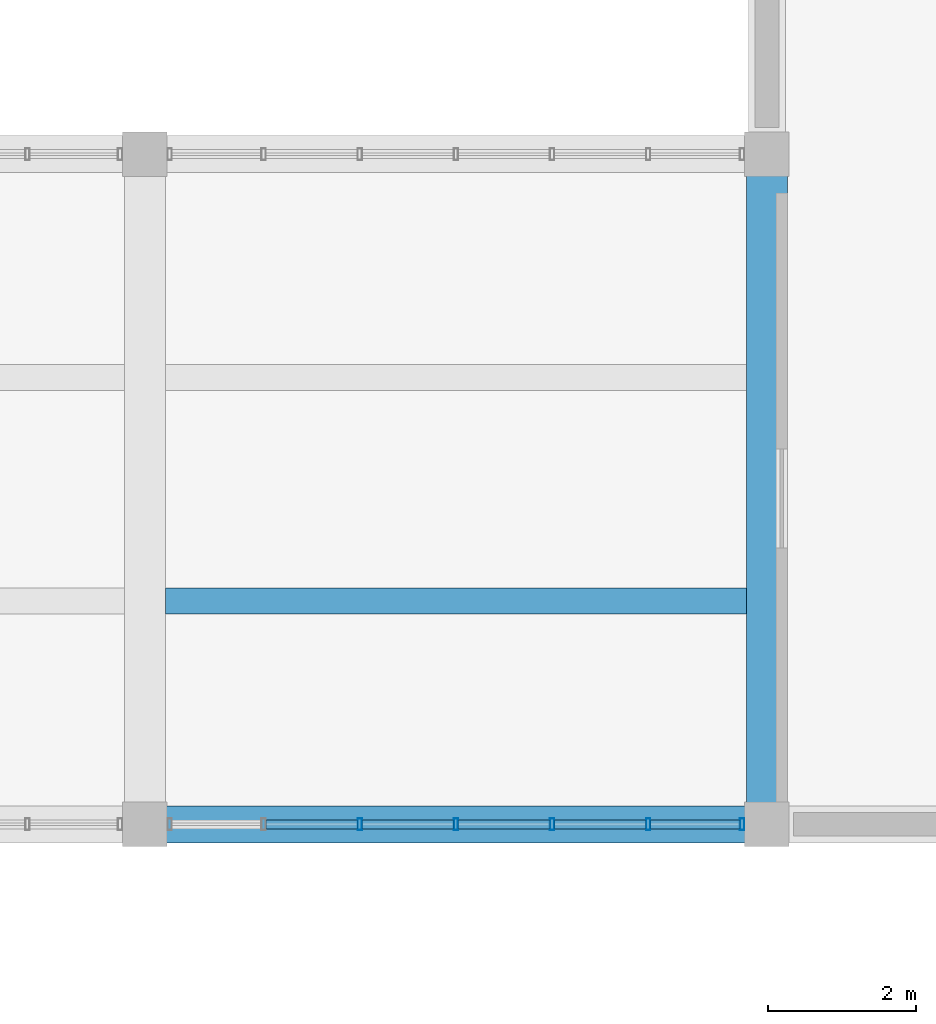
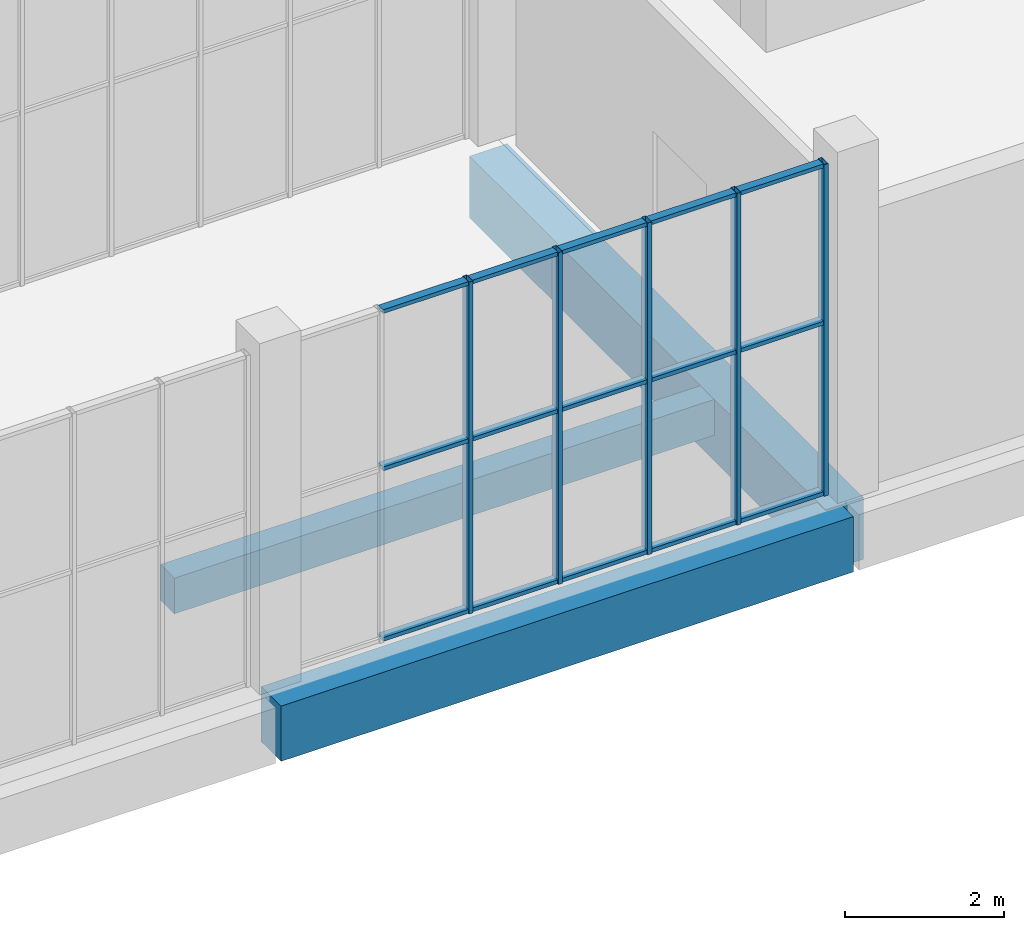
# One storey, part 40 of 132: 20 members, 3 beams, 1 element without a shape of its own.
"""IFC4 building model written with IfcOpenShell, lengths in metres."""

from ifc_helpers import new_model, si_unit, direction, frame, origin, origin_2d, place, context, subcontext, project, spatial, rectangle, hollow_rectangle, extrude, material, material_profile, profile_set, type_object, element, aggregate, save


model = new_model("IFC4")

# Units and contexts
model_context = context("Model", 3, precision=1e-05, world=origin(), true_north=direction((0.0, 1.0)))
body_context = subcontext(model_context, "Body", "Model", "MODEL_VIEW")
ifc_project = project(units=[si_unit("LENGTHUNIT", "METRE"), si_unit("AREAUNIT", "SQUARE_METRE"), si_unit("VOLUMEUNIT", "CUBIC_METRE"), si_unit("PLANEANGLEUNIT", "RADIAN"), si_unit("MASSUNIT", "GRAM", prefix="KILO")], contexts=[model_context])

# Site, building, storey
site_placement = place(None, origin())
site = spatial("IfcSite", under=ifc_project, at=site_placement, CompositionType="ELEMENT")
building_placement = place(site_placement, origin())
building = spatial("IfcBuilding", under=site, at=building_placement, Name="Khurvash Pelagic Aquarium", CompositionType="ELEMENT")
storey_placement = place(building_placement, frame((0.0, 0.0, 5.39990234375)))
storey = spatial("IfcBuildingStorey", under=building, at=storey_placement, Name="L01", CompositionType="ELEMENT", Elevation=5.39990234375)

# Beam
ifc_material_1 = material(Name="Concrete C40/50", Category="concrete")
ifc_material_profile_1 = material_profile(ifc_material_1, rectangle(XDim=0.550048828125, YDim=0.949951171875, at=origin_2d()), Name="RC550X950")
ifc_profile_set_1 = profile_set([ifc_material_profile_1], Name="Concrete C40/50")
beam_type_1 = type_object("IfcBeamType", Name="BM-02", PredefinedType="BEAM", material=ifc_profile_set_1)
beam_1_placement = place(storey_placement, frame((126.0, 20.739990234375, -0.784912109375), z_axis=(0.0, 1.0, 0.0), x_axis=(-1.0, 0.0, 0.0)))
element("IfcBeam", 1, at=beam_1_placement, inside=storey, type_object=beam_type_1, Name="L01 Primary Girder BM-02 00428", PredefinedType="BEAM", context=body_context, shape_type="SweptSolid", body=[
    extrude(rectangle(XDim=0.550048828125, YDim=0.949951171875, at=origin_2d()), origin(), (0.0, 0.0, 1.0), 8.969970703125),
])

# Curtain wall, members
ifc_material_2 = material(Name="Anodised aluminium and low-E laminated glass", Category="aluminium")
curtain_wall_type = type_object("IfcCurtainWallType", Name="CW-05", PredefinedType="USERDEFINED", material=ifc_material_2)
curtain_wall_placement = place(storey_placement, origin())
curtain_wall = element("IfcCurtainWall", 2, at=curtain_wall_placement, inside=storey, type_object=curtain_wall_type, Name="L01 Facade Unitised Curtain Wall CW-05 0110", ObjectType="UNITISED CURTAIN WALL", PredefinedType="USERDEFINED")
ifc_material_3 = material(Name="Extruded aluminium AW-6063-T6", Category="aluminium")
ifc_material_profile_2 = material_profile(ifc_material_3, hollow_rectangle(XDim=0.06005859375, YDim=0.159912109375, WallThickness=0.00390625, at=origin_2d()), Name="CWM60X160X4")
ifc_profile_set_2 = profile_set([ifc_material_profile_2], Name="Extruded aluminium AW-6063-T6")
member_type_1 = type_object("IfcMemberType", Name="CM-02", PredefinedType="MULLION", material=ifc_profile_set_2)
member_1_placement = place(storey_placement, frame((120.501708984375, 20.699951171875, 0.0), z_axis=(0.0, 0.0, 1.0), x_axis=(1.0, 0.0, 0.0)))
member_1 = element("IfcMember", 3, at=member_1_placement, type_object=member_type_1, Name="CW-05 mullion 3", PredefinedType="MULLION", context=body_context, shape_type="SweptSolid", body=[
    extrude(hollow_rectangle(XDim=0.06005859375, YDim=0.159912109375, WallThickness=0.00390625, at=origin_2d()), origin(), (0.0, 0.0, 1.0), 5.10009765625),
])
member_2_placement = place(storey_placement, frame((121.800048828125, 20.699951171875, 0.0), z_axis=(0.0, 0.0, 1.0), x_axis=(1.0, 0.0, 0.0)))
member_2 = element("IfcMember", 4, at=member_2_placement, type_object=member_type_1, Name="CW-05 mullion 4", PredefinedType="MULLION", context=body_context, shape_type="SweptSolid", body=[
    extrude(hollow_rectangle(XDim=0.06005859375, YDim=0.159912109375, WallThickness=0.00390625, at=origin_2d()), origin(), (0.0, 0.0, 1.0), 5.10009765625),
])
member_3_placement = place(storey_placement, frame((123.098388671875, 20.699951171875, 0.0), z_axis=(0.0, 0.0, 1.0), x_axis=(1.0, 0.0, 0.0)))
member_3 = element("IfcMember", 5, at=member_3_placement, type_object=member_type_1, Name="CW-05 mullion 5", PredefinedType="MULLION", context=body_context, shape_type="SweptSolid", body=[
    extrude(hollow_rectangle(XDim=0.06005859375, YDim=0.159912109375, WallThickness=0.00390625, at=origin_2d()), origin(), (0.0, 0.0, 1.0), 5.10009765625),
])
member_4_placement = place(storey_placement, frame((124.396728515625, 20.699951171875, 0.0), z_axis=(0.0, 0.0, 1.0), x_axis=(1.0, 0.0, 0.0)))
member_4 = element("IfcMember", 6, at=member_4_placement, type_object=member_type_1, Name="CW-05 mullion 6", PredefinedType="MULLION", context=body_context, shape_type="SweptSolid", body=[
    extrude(hollow_rectangle(XDim=0.06005859375, YDim=0.159912109375, WallThickness=0.00390625, at=origin_2d()), origin(), (0.0, 0.0, 1.0), 5.10009765625),
])
member_5_placement = place(storey_placement, frame((125.6650390625, 20.699951171875, 0.0), z_axis=(0.0, 0.0, 1.0), x_axis=(1.0, 0.0, 0.0)))
member_5 = element("IfcMember", 7, at=member_5_placement, type_object=member_type_1, Name="CW-05 mullion 7", PredefinedType="MULLION", context=body_context, shape_type="SweptSolid", body=[
    extrude(hollow_rectangle(XDim=0.06005859375, YDim=0.159912109375, WallThickness=0.00390625, at=origin_2d()), origin(), (0.0, 0.0, 1.0), 5.10009765625),
])
ifc_material_profile_3 = material_profile(ifc_material_3, hollow_rectangle(XDim=0.1201171875, YDim=0.06005859375, WallThickness=0.00390625, at=origin_2d()), Name="CWT120X60X4")
ifc_profile_set_3 = profile_set([ifc_material_profile_3], Name="Extruded aluminium AW-6063-T6")
member_type_2 = type_object("IfcMemberType", Name="CT-02", PredefinedType="USERDEFINED", material=ifc_profile_set_3)
member_6_placement = place(storey_placement, frame((119.2333984375, 20.699951171875, 0.030029296875), z_axis=(1.0, 0.0, 0.0), x_axis=(0.0, 1.0, 0.0)))
member_6 = element("IfcMember", 8, at=member_6_placement, type_object=member_type_2, Name="CW-05 transom 2.1", ObjectType="TRANSOM", PredefinedType="USERDEFINED", context=body_context, shape_type="SweptSolid", body=[
    extrude(hollow_rectangle(XDim=0.1201171875, YDim=0.06005859375, WallThickness=0.00390625, at=origin_2d()), origin(), (0.0, 0.0, 1.0), 1.23828125),
])
member_7_placement = place(storey_placement, frame((119.2333984375, 20.699951171875, 2.652099609375), z_axis=(1.0, 0.0, 0.0), x_axis=(0.0, 1.0, 0.0)))
member_7 = element("IfcMember", 9, at=member_7_placement, type_object=member_type_2, Name="CW-05 transom 2.2", ObjectType="TRANSOM", PredefinedType="USERDEFINED", context=body_context, shape_type="SweptSolid", body=[
    extrude(hollow_rectangle(XDim=0.1201171875, YDim=0.06005859375, WallThickness=0.00390625, at=origin_2d()), origin(), (0.0, 0.0, 1.0), 1.23828125),
])
member_8_placement = place(storey_placement, frame((119.2333984375, 20.699951171875, 5.070068359375), z_axis=(1.0, 0.0, 0.0), x_axis=(0.0, 1.0, 0.0)))
member_8 = element("IfcMember", 10, at=member_8_placement, type_object=member_type_2, Name="CW-05 transom 2.3", ObjectType="TRANSOM", PredefinedType="USERDEFINED", context=body_context, shape_type="SweptSolid", body=[
    extrude(hollow_rectangle(XDim=0.1201171875, YDim=0.06005859375, WallThickness=0.00390625, at=origin_2d()), origin(), (0.0, 0.0, 1.0), 1.23828125),
])
member_9_placement = place(storey_placement, frame((120.53173828125, 20.699951171875, 0.030029296875), z_axis=(1.0, 0.0, 0.0), x_axis=(0.0, 1.0, 0.0)))
member_9 = element("IfcMember", 11, at=member_9_placement, type_object=member_type_2, Name="CW-05 transom 3.1", ObjectType="TRANSOM", PredefinedType="USERDEFINED", context=body_context, shape_type="SweptSolid", body=[
    extrude(hollow_rectangle(XDim=0.1201171875, YDim=0.06005859375, WallThickness=0.00390625, at=origin_2d()), origin(), (0.0, 0.0, 1.0), 1.23828125),
])
member_10_placement = place(storey_placement, frame((120.53173828125, 20.699951171875, 2.652099609375), z_axis=(1.0, 0.0, 0.0), x_axis=(0.0, 1.0, 0.0)))
member_10 = element("IfcMember", 12, at=member_10_placement, type_object=member_type_2, Name="CW-05 transom 3.2", ObjectType="TRANSOM", PredefinedType="USERDEFINED", context=body_context, shape_type="SweptSolid", body=[
    extrude(hollow_rectangle(XDim=0.1201171875, YDim=0.06005859375, WallThickness=0.00390625, at=origin_2d()), origin(), (0.0, 0.0, 1.0), 1.23828125),
])
member_11_placement = place(storey_placement, frame((120.53173828125, 20.699951171875, 5.070068359375), z_axis=(1.0, 0.0, 0.0), x_axis=(0.0, 1.0, 0.0)))
member_11 = element("IfcMember", 13, at=member_11_placement, type_object=member_type_2, Name="CW-05 transom 3.3", ObjectType="TRANSOM", PredefinedType="USERDEFINED", context=body_context, shape_type="SweptSolid", body=[
    extrude(hollow_rectangle(XDim=0.1201171875, YDim=0.06005859375, WallThickness=0.00390625, at=origin_2d()), origin(), (0.0, 0.0, 1.0), 1.23828125),
])
member_12_placement = place(storey_placement, frame((121.830078125, 20.699951171875, 0.030029296875), z_axis=(1.0, 0.0, 0.0), x_axis=(0.0, 1.0, 0.0)))
member_12 = element("IfcMember", 14, at=member_12_placement, type_object=member_type_2, Name="CW-05 transom 4.1", ObjectType="TRANSOM", PredefinedType="USERDEFINED", context=body_context, shape_type="SweptSolid", body=[
    extrude(hollow_rectangle(XDim=0.1201171875, YDim=0.06005859375, WallThickness=0.00390625, at=origin_2d()), origin(), (0.0, 0.0, 1.0), 1.23828125),
])
member_13_placement = place(storey_placement, frame((121.830078125, 20.699951171875, 2.652099609375), z_axis=(1.0, 0.0, 0.0), x_axis=(0.0, 1.0, 0.0)))
member_13 = element("IfcMember", 15, at=member_13_placement, type_object=member_type_2, Name="CW-05 transom 4.2", ObjectType="TRANSOM", PredefinedType="USERDEFINED", context=body_context, shape_type="SweptSolid", body=[
    extrude(hollow_rectangle(XDim=0.1201171875, YDim=0.06005859375, WallThickness=0.00390625, at=origin_2d()), origin(), (0.0, 0.0, 1.0), 1.23828125),
])
member_14_placement = place(storey_placement, frame((121.830078125, 20.699951171875, 5.070068359375), z_axis=(1.0, 0.0, 0.0), x_axis=(0.0, 1.0, 0.0)))
member_14 = element("IfcMember", 16, at=member_14_placement, type_object=member_type_2, Name="CW-05 transom 4.3", ObjectType="TRANSOM", PredefinedType="USERDEFINED", context=body_context, shape_type="SweptSolid", body=[
    extrude(hollow_rectangle(XDim=0.1201171875, YDim=0.06005859375, WallThickness=0.00390625, at=origin_2d()), origin(), (0.0, 0.0, 1.0), 1.23828125),
])
member_15_placement = place(storey_placement, frame((123.12841796875, 20.699951171875, 0.030029296875), z_axis=(1.0, 0.0, 0.0), x_axis=(0.0, 1.0, 0.0)))
member_15 = element("IfcMember", 17, at=member_15_placement, type_object=member_type_2, Name="CW-05 transom 5.1", ObjectType="TRANSOM", PredefinedType="USERDEFINED", context=body_context, shape_type="SweptSolid", body=[
    extrude(hollow_rectangle(XDim=0.1201171875, YDim=0.06005859375, WallThickness=0.00390625, at=origin_2d()), origin(), (0.0, 0.0, 1.0), 1.23828125),
])
member_16_placement = place(storey_placement, frame((123.12841796875, 20.699951171875, 2.652099609375), z_axis=(1.0, 0.0, 0.0), x_axis=(0.0, 1.0, 0.0)))
member_16 = element("IfcMember", 18, at=member_16_placement, type_object=member_type_2, Name="CW-05 transom 5.2", ObjectType="TRANSOM", PredefinedType="USERDEFINED", context=body_context, shape_type="SweptSolid", body=[
    extrude(hollow_rectangle(XDim=0.1201171875, YDim=0.06005859375, WallThickness=0.00390625, at=origin_2d()), origin(), (0.0, 0.0, 1.0), 1.23828125),
])
member_17_placement = place(storey_placement, frame((123.12841796875, 20.699951171875, 5.070068359375), z_axis=(1.0, 0.0, 0.0), x_axis=(0.0, 1.0, 0.0)))
member_17 = element("IfcMember", 19, at=member_17_placement, type_object=member_type_2, Name="CW-05 transom 5.3", ObjectType="TRANSOM", PredefinedType="USERDEFINED", context=body_context, shape_type="SweptSolid", body=[
    extrude(hollow_rectangle(XDim=0.1201171875, YDim=0.06005859375, WallThickness=0.00390625, at=origin_2d()), origin(), (0.0, 0.0, 1.0), 1.23828125),
])
member_18_placement = place(storey_placement, frame((124.4267578125, 20.699951171875, 0.030029296875), z_axis=(1.0, 0.0, 0.0), x_axis=(0.0, 1.0, 0.0)))
member_18 = element("IfcMember", 20, at=member_18_placement, type_object=member_type_2, Name="CW-05 transom 6.1", ObjectType="TRANSOM", PredefinedType="USERDEFINED", context=body_context, shape_type="SweptSolid", body=[
    extrude(hollow_rectangle(XDim=0.1201171875, YDim=0.06005859375, WallThickness=0.00390625, at=origin_2d()), origin(), (0.0, 0.0, 1.0), 1.208251953125),
])
member_19_placement = place(storey_placement, frame((124.4267578125, 20.699951171875, 2.652099609375), z_axis=(1.0, 0.0, 0.0), x_axis=(0.0, 1.0, 0.0)))
member_19 = element("IfcMember", 21, at=member_19_placement, type_object=member_type_2, Name="CW-05 transom 6.2", ObjectType="TRANSOM", PredefinedType="USERDEFINED", context=body_context, shape_type="SweptSolid", body=[
    extrude(hollow_rectangle(XDim=0.1201171875, YDim=0.06005859375, WallThickness=0.00390625, at=origin_2d()), origin(), (0.0, 0.0, 1.0), 1.208251953125),
])
member_20_placement = place(storey_placement, frame((124.4267578125, 20.699951171875, 5.070068359375), z_axis=(1.0, 0.0, 0.0), x_axis=(0.0, 1.0, 0.0)))
member_20 = element("IfcMember", 22, at=member_20_placement, type_object=member_type_2, Name="CW-05 transom 6.3", ObjectType="TRANSOM", PredefinedType="USERDEFINED", context=body_context, shape_type="SweptSolid", body=[
    extrude(hollow_rectangle(XDim=0.1201171875, YDim=0.06005859375, WallThickness=0.00390625, at=origin_2d()), origin(), (0.0, 0.0, 1.0), 1.208251953125),
])
aggregate(curtain_wall, [member_1, member_2, member_3, member_4, member_5, member_6, member_7, member_8, member_9, member_10, member_11, member_12, member_13, member_14, member_15, member_16, member_17, member_18, member_19, member_20])

# Beams
ifc_material_4 = material(Name="Concrete C35/45", Category="concrete")
ifc_material_profile_4 = material_profile(ifc_material_4, rectangle(XDim=0.35009765625, YDim=0.550048828125, at=origin_2d()), Name="RC350X550")
ifc_profile_set_4 = profile_set([ifc_material_profile_4], Name="Concrete C35/45")
beam_type_2 = type_object("IfcBeamType", Name="JS-01", PredefinedType="JOIST", material=ifc_profile_set_4)
beam_2_placement = place(storey_placement, frame((117.875, 23.717041015625, -0.5849609375), z_axis=(1.0, 0.0, 0.0), x_axis=(0.0, 1.0, 0.0)))
element("IfcBeam", 23, at=beam_2_placement, inside=storey, type_object=beam_type_2, Name="L01 Floor Joist JS-01 00558", PredefinedType="JOIST", context=body_context, shape_type="SweptSolid", body=[
    extrude(rectangle(XDim=0.35009765625, YDim=0.550048828125, at=origin_2d()), origin(), (0.0, 0.0, 1.0), 7.85009765625),
])
ifc_material_profile_5 = material_profile(ifc_material_1, rectangle(XDim=0.5, YDim=0.85009765625, at=origin_2d()), Name="RC500X850")
ifc_profile_set_5 = profile_set([ifc_material_profile_5], Name="Concrete C40/50")
beam_type_3 = type_object("IfcBeamType", Name="SEB-03", PredefinedType="SPANDREL", material=ifc_profile_set_5)
beam_3_placement = place(storey_placement, frame((117.639892578125, 20.699951171875, -0.744873046875), z_axis=(1.0, 0.0, 0.0), x_axis=(0.0, 1.0, 0.0)))
element("IfcBeam", 24, at=beam_3_placement, inside=storey, type_object=beam_type_3, Name="L01 Primary Girder SEB-03 00270", PredefinedType="SPANDREL", context=body_context, shape_type="SweptSolid", body=[
    extrude(rectangle(XDim=0.5, YDim=0.85009765625, at=origin_2d()), origin(), (0.0, 0.0, 1.0), 8.320068359375),
])

save(model, "model.ifc")
